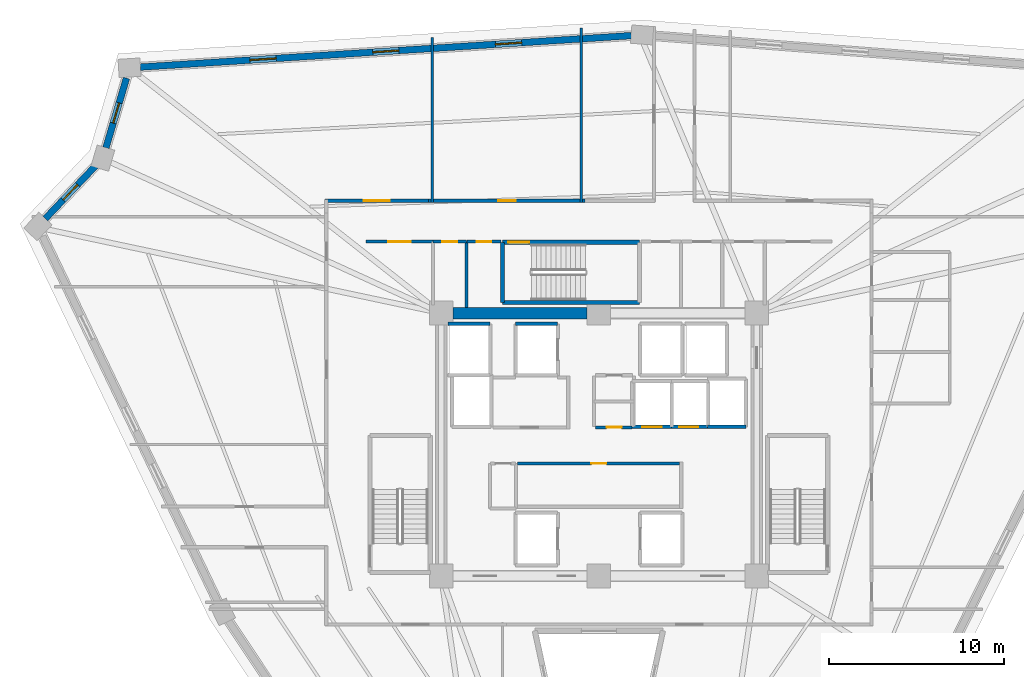
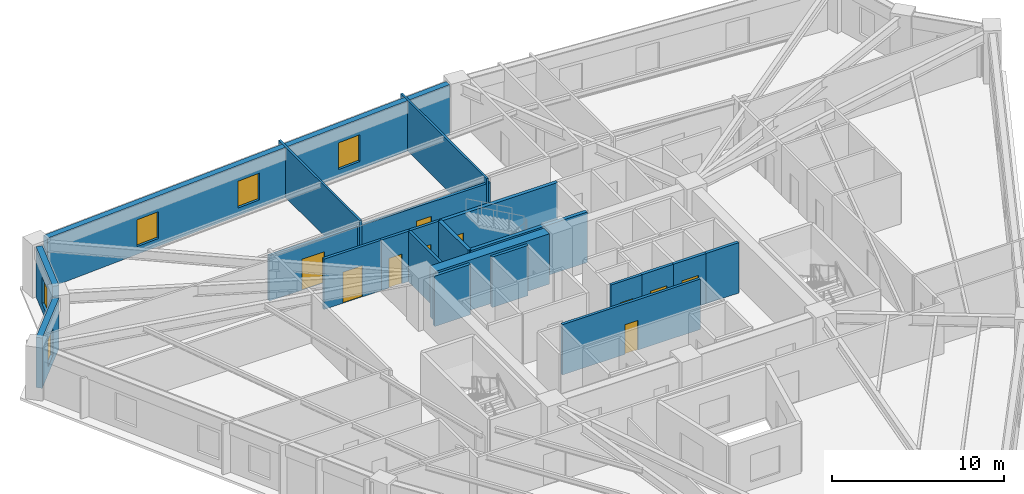
# One storey, part 5 of 8: 22 walls, 10 doors, 5 windows, 15 openings.
"""IFC4 building model written with IfcOpenShell, lengths in metres."""

from ifc_helpers import new_model, si_unit, direction, frame, frame_2d, origin, place, context, subcontext, project, spatial, rectangle, extrude, source, transform, mapped, material, layer, layer_set, type_object, element, fill, save


model = new_model("IFC4")

# Units and contexts
model_context = context("Model", 3, precision=1e-05, world=origin(), true_north=direction((0.0, 1.0)))
body_context = subcontext(model_context, "Body", "Model", "MODEL_VIEW")
ifc_project = project(units=[si_unit("LENGTHUNIT", "METRE"), si_unit("AREAUNIT", "SQUARE_METRE"), si_unit("VOLUMEUNIT", "CUBIC_METRE"), si_unit("PLANEANGLEUNIT", "RADIAN"), si_unit("MASSUNIT", "GRAM", prefix="KILO")], contexts=[model_context])

# Site, building, storey
site_placement = place(None, origin())
site = spatial("IfcSite", under=ifc_project, at=site_placement, CompositionType="ELEMENT")
building_placement = place(site_placement, origin())
building = spatial("IfcBuilding", under=site, at=building_placement, Name="Liaohun Quay Tower", CompositionType="ELEMENT")
storey_placement = place(building_placement, frame((0.0, 0.0, 255.0)))
storey = spatial("IfcBuildingStorey", under=building, at=storey_placement, Name="L66", CompositionType="ELEMENT", Elevation=255.0)

# Wall
ifc_material_1 = material(Name="Concrete C55", Category="concrete")
ifc_layer_1 = layer(ifc_material_1, 0.64990234375, Name="Concrete C55", Category="concrete")
ifc_layer_set_1 = layer_set([ifc_layer_1], Name="Concrete C55")
wall_type_1 = type_object("IfcWallType", Name="WAL-COR-Z3", PredefinedType="SHEAR", material=ifc_layer_set_1)
wall_1_placement = place(storey_placement, frame((51.675048828125, 61.5, 0.0), z_axis=(0.0, 0.0, 1.0), x_axis=(1.0, 0.0, 0.0)))
element("IfcWall", 1, at=wall_1_placement, inside=storey, type_object=wall_type_1, Name="L66 Central Core Shear Wall N-W", PredefinedType="SHEAR", context=body_context, shape_type="SweptSolid", body=[
    extrude(rectangle(XDim=7.64990234375, YDim=0.64990234375, at=frame_2d((3.824951171875, 0.0))), origin(), (0.0, 0.0, 1.0), 3.570068359375),
])

# Wall, openings, windows
ifc_material_2 = material(Name="Precast concrete C50 insulated sandwich", Category="concrete")
ifc_layer_2 = layer(ifc_material_2, 0.3798828125, Name="Precast concrete C50 insulated sandwich", Category="concrete")
ifc_layer_set_2 = layer_set([ifc_layer_2], Name="Precast concrete C50 insulated sandwich")
wall_type_2 = type_object("IfcWallType", Name="WAL-EXT-Z34", PredefinedType="SOLIDWALL", material=ifc_layer_set_2)
wall_2_placement = place(storey_placement, frame((61.85009765625, 77.3310546875, 0.0), z_axis=(0.0, 0.0, 1.0), x_axis=(-0.997946898195, -0.064046767155, 0.0)))
wall_2 = element("IfcWall", 2, at=wall_2_placement, inside=storey, type_object=wall_type_2, Name="L66 Brutalist Precast Pier Wall 07", PredefinedType="SOLIDWALL", context=body_context, shape_type="SweptSolid", body=[
    extrude(rectangle(XDim=28.07470703125, YDim=0.3798828125, at=frame_2d((14.037353515625, 0.0))), origin(), (0.0, 0.0, 1.0), 3.570068359375),
])
shared_shape_1 = source(origin(), body_context, "Body", "SweptSolid", [
    extrude(rectangle(XDim=1.5, YDim=1.89990234375, at=frame_2d((0.75, 0.949951171875))), frame((0.0, 0.199951171875, 0.0), z_axis=(0.0, -1.0, 0.0), x_axis=(1.0, 0.0, 0.0)), (0.0, 0.0, 1.0), 0.39990234375),
])
opening_1_placement = place(wall_2_placement, frame((6.26904296875, 0.0, 0.550048828125)))
opening_1 = element("IfcOpeningElement", 3, at=opening_1_placement, cuts=wall_2, Name="Opening W03", PredefinedType="OPENING", context=body_context, shape_type="MappedRepresentation", body=[
    mapped(shared_shape_1, transform((0.0, 0.0, 0.0), x_axis=(1.0, 0.0, 0.0), y_axis=(0.0, 1.0, 0.0), z_axis=(0.0, 0.0, 1.0), scale=1.0)),
])
opening_2_placement = place(wall_2_placement, frame((13.287109375, 0.0, 0.550048828125)))
opening_2 = element("IfcOpeningElement", 4, at=opening_2_placement, cuts=wall_2, Name="Opening W03", PredefinedType="OPENING", context=body_context, shape_type="MappedRepresentation", body=[
    mapped(shared_shape_1, transform((0.0, 0.0, 0.0), x_axis=(1.0, 0.0, 0.0), y_axis=(0.0, 1.0, 0.0), z_axis=(0.0, 0.0, 1.0), scale=1.0)),
])
opening_3_placement = place(wall_2_placement, frame((20.305908203125, 0.0, 0.550048828125)))
opening_3 = element("IfcOpeningElement", 5, at=opening_3_placement, cuts=wall_2, Name="Opening W03", PredefinedType="OPENING", context=body_context, shape_type="MappedRepresentation", body=[
    mapped(shared_shape_1, transform((0.0, 0.0, 0.0), x_axis=(1.0, 0.0, 0.0), y_axis=(0.0, 1.0, 0.0), z_axis=(0.0, 0.0, 1.0), scale=1.0)),
])
ifc_material_3 = material(Name="Triple Low-E argon glazing in thermally broken aluminium", Category="aluminium")
window_type_1 = type_object("IfcWindowType", Name="WIN-PUN-Z3", PartitioningType="DOUBLE_PANEL_VERTICAL", PredefinedType="WINDOW", material=ifc_material_3)
shared_shape_2 = source(origin(), body_context, "Body", "SweptSolid", [
    extrude(rectangle(XDim=1.5, YDim=1.89990234375, at=frame_2d((0.75, 0.949951171875))), frame((0.0, 0.030029296875, 0.0), z_axis=(0.0, -1.0, 0.0), x_axis=(1.0, 0.0, 0.0)), (0.0, 0.0, 1.0), 0.06005859375),
])
window_1_placement = place(opening_1_placement, origin())
window_1 = element("IfcWindow", 6, at=window_1_placement, inside=storey, type_object=window_type_1, Name="L66 Recessed Cold-Climate Punched Window 07-1", OverallHeight=1.89990234375, OverallWidth=1.5, PartitioningType="DOUBLE_PANEL_VERTICAL", PredefinedType="WINDOW", context=body_context, shape_type="MappedRepresentation", body=[
    mapped(shared_shape_2, transform((0.0, 0.0, 0.0), x_axis=(1.0, 0.0, 0.0), y_axis=(0.0, 1.0, 0.0), z_axis=(0.0, 0.0, 1.0), scale=1.0)),
])
fill(opening_1, window_1)
window_2_placement = place(opening_2_placement, origin())
window_2 = element("IfcWindow", 7, at=window_2_placement, inside=storey, type_object=window_type_1, Name="L66 Recessed Cold-Climate Punched Window 07-2", OverallHeight=1.89990234375, OverallWidth=1.5, PartitioningType="DOUBLE_PANEL_VERTICAL", PredefinedType="WINDOW", context=body_context, shape_type="MappedRepresentation", body=[
    mapped(shared_shape_2, transform((0.0, 0.0, 0.0), x_axis=(1.0, 0.0, 0.0), y_axis=(0.0, 1.0, 0.0), z_axis=(0.0, 0.0, 1.0), scale=1.0)),
])
fill(opening_2, window_2)
window_3_placement = place(opening_3_placement, origin())
window_3 = element("IfcWindow", 8, at=window_3_placement, inside=storey, type_object=window_type_1, Name="L66 Recessed Cold-Climate Punched Window 07-3", OverallHeight=1.89990234375, OverallWidth=1.5, PartitioningType="DOUBLE_PANEL_VERTICAL", PredefinedType="WINDOW", context=body_context, shape_type="MappedRepresentation", body=[
    mapped(shared_shape_2, transform((0.0, 0.0, 0.0), x_axis=(1.0, 0.0, 0.0), y_axis=(0.0, 1.0, 0.0), z_axis=(0.0, 0.0, 1.0), scale=1.0)),
])
fill(opening_3, window_3)

# Wall, opening, window
wall_3_placement = place(storey_placement, frame((33.044921875, 74.904052734375, 0.0), z_axis=(0.0, 0.0, 1.0), x_axis=(-0.282772261865, -0.959187076602, 0.0)))
wall_3 = element("IfcWall", 9, at=wall_3_placement, inside=storey, type_object=wall_type_2, Name="L66 Brutalist Precast Pier Wall 08", PredefinedType="SOLIDWALL", context=body_context, shape_type="SweptSolid", body=[
    extrude(rectangle(XDim=4.144287109375, YDim=0.3798828125, at=frame_2d((2.072265625, 0.0))), origin(), (0.0, 0.0, 1.0), 3.570068359375),
])
shared_shape_3 = source(origin(), body_context, "Body", "SweptSolid", [
    extrude(rectangle(XDim=1.199951171875, YDim=1.89990234375, at=frame_2d((0.60009765625, 0.949951171875))), frame((0.0, 0.199951171875, 0.0), z_axis=(0.0, -1.0, 0.0), x_axis=(1.0, 0.0, 0.0)), (0.0, 0.0, 1.0), 0.39990234375),
])
opening_4_placement = place(wall_3_placement, frame((1.471923828125, 0.0, 0.550048828125)))
opening_4 = element("IfcOpeningElement", 10, at=opening_4_placement, cuts=wall_3, Name="Opening W05", PredefinedType="OPENING", context=body_context, shape_type="MappedRepresentation", body=[
    mapped(shared_shape_3, transform((0.0, 0.0, 0.0), x_axis=(1.0, 0.0, 0.0), y_axis=(0.0, 1.0, 0.0), z_axis=(0.0, 0.0, 1.0), scale=1.0)),
])
ifc_material_4 = material(Name="Triple Low-E corner notch glazing", Category="glass")
window_type_2 = type_object("IfcWindowType", Name="WIN-NOTCH", PartitioningType="SINGLE_PANEL", PredefinedType="WINDOW", material=ifc_material_4)
shared_shape_4 = source(origin(), body_context, "Body", "SweptSolid", [
    extrude(rectangle(XDim=1.199951171875, YDim=1.89990234375, at=frame_2d((0.60009765625, 0.949951171875))), frame((0.0, 0.030029296875, 0.0), z_axis=(0.0, -1.0, 0.0), x_axis=(1.0, 0.0, 0.0)), (0.0, 0.0, 1.0), 0.06005859375),
])
window_4_placement = place(opening_4_placement, origin())
window_4 = element("IfcWindow", 11, at=window_4_placement, inside=storey, type_object=window_type_2, Name="L66 Corner Notch Window W05-08", OverallHeight=1.89990234375, OverallWidth=1.199951171875, PartitioningType="SINGLE_PANEL", PredefinedType="WINDOW", context=body_context, shape_type="MappedRepresentation", body=[
    mapped(shared_shape_4, transform((0.0, 0.0, 0.0), x_axis=(1.0, 0.0, 0.0), y_axis=(0.0, 1.0, 0.0), z_axis=(0.0, 0.0, 1.0), scale=1.0)),
])
fill(opening_4, window_4)

wall_4_placement = place(storey_placement, frame((31.27490234375, 69.89306640625, 0.0), z_axis=(0.0, 0.0, 1.0), x_axis=(-0.689387760278, -0.724392515131, 0.0)))
wall_4 = element("IfcWall", 12, at=wall_4_placement, inside=storey, type_object=wall_type_2, Name="L66 Brutalist Precast Pier Wall 09", PredefinedType="SOLIDWALL", context=body_context, shape_type="SweptSolid", body=[
    extrude(rectangle(XDim=4.14990234375, YDim=0.3798828125, at=frame_2d((2.074951171875, 0.0))), origin(), (0.0, 0.0, 1.0), 3.570068359375),
])
opening_5_placement = place(wall_4_placement, frame((1.47509765625, 0.0, 0.550048828125)))
opening_5 = element("IfcOpeningElement", 13, at=opening_5_placement, cuts=wall_4, Name="Opening W05", PredefinedType="OPENING", context=body_context, shape_type="MappedRepresentation", body=[
    mapped(shared_shape_3, transform((0.0, 0.0, 0.0), x_axis=(1.0, 0.0, 0.0), y_axis=(0.0, 1.0, 0.0), z_axis=(0.0, 0.0, 1.0), scale=1.0)),
])
window_5_placement = place(opening_5_placement, origin())
window_5 = element("IfcWindow", 14, at=window_5_placement, inside=storey, type_object=window_type_2, Name="L66 Corner Notch Window W05-09", OverallHeight=1.89990234375, OverallWidth=1.199951171875, PartitioningType="SINGLE_PANEL", PredefinedType="WINDOW", context=body_context, shape_type="MappedRepresentation", body=[
    mapped(shared_shape_4, transform((0.0, 0.0, 0.0), x_axis=(1.0, 0.0, 0.0), y_axis=(0.0, 1.0, 0.0), z_axis=(0.0, 0.0, 1.0), scale=1.0)),
])
fill(opening_5, window_5)

# Wall, opening, door
ifc_material_5 = material(Name="Autoclaved aerated concrete blockwork", Category="masonry")
ifc_layer_3 = layer(ifc_material_5, 0.179931640625, Name="Autoclaved aerated concrete blockwork", Category="masonry")
ifc_layer_set_3 = layer_set([ifc_layer_3], Name="Autoclaved aerated concrete blockwork")
wall_type_3 = type_object("IfcWallType", Name="WAL-PRT-COR", PredefinedType="PARTITIONING", material=ifc_layer_set_3)
wall_5_placement = place(storey_placement, frame((55.3701171875, 52.919921875, 0.0), z_axis=(0.0, 0.0, 1.0), x_axis=(1.0, 0.0, 0.0)))
wall_5 = element("IfcWall", 15, at=wall_5_placement, inside=storey, type_object=wall_type_3, Name="L66 Interior Partition Wall 001", PredefinedType="PARTITIONING", context=body_context, shape_type="SweptSolid", body=[
    extrude(rectangle(XDim=9.239990234375, YDim=0.179931640625, at=frame_2d((4.6201171875, 0.0))), origin(), (0.0, 0.0, 1.0), 3.570068359375),
])
shared_shape_5 = source(origin(), body_context, "Body", "SweptSolid", [
    extrude(rectangle(XDim=0.85009765625, YDim=2.10009765625, at=frame_2d((0.425048828125, 1.050048828125))), frame((0.0, 0.099853515625, 0.0), z_axis=(0.0, -1.0, 0.0), x_axis=(1.0, 0.0, 0.0)), (0.0, 0.0, 1.0), 0.199951171875),
])
opening_6_placement = place(wall_5_placement, frame((4.205078125, 0.0, 0.0)))
opening_6 = element("IfcOpeningElement", 16, at=opening_6_placement, cuts=wall_5, Name="Opening AD1", PredefinedType="OPENING", context=body_context, shape_type="MappedRepresentation", body=[
    mapped(shared_shape_5, transform((0.0, 0.0, 0.0), x_axis=(1.0, 0.0, 0.0), y_axis=(0.0, 1.0, 0.0), z_axis=(0.0, 0.0, 1.0), scale=1.0)),
])
ifc_material_6 = material(Name="Steel riser inspection fire door", Category="steel")
door_type_1 = type_object("IfcDoorType", Name="DOR-SHF-850", OperationType="NOTDEFINED", PredefinedType="DOOR", material=ifc_material_6)
shared_shape_6 = source(origin(), body_context, "Body", "SweptSolid", [
    extrude(rectangle(XDim=0.85009765625, YDim=2.10009765625, at=frame_2d((0.425048828125, 1.050048828125))), frame((0.0, 0.02490234375, 0.0), z_axis=(0.0, -1.0, 0.0), x_axis=(1.0, 0.0, 0.0)), (0.0, 0.0, 1.0), 0.050048828125),
])
door_1_placement = place(opening_6_placement, origin())
door_1 = element("IfcDoor", 17, at=door_1_placement, inside=storey, type_object=door_type_1, Name="L66 Core Tenant Storage and Archive Room Door", OperationType="SINGLE_SWING_LEFT", OverallHeight=2.10009765625, OverallWidth=0.85009765625, PredefinedType="DOOR", context=body_context, shape_type="MappedRepresentation", body=[
    mapped(shared_shape_6, transform((0.0, 0.0, 0.0), x_axis=(1.0, 0.0, 0.0), y_axis=(0.0, 1.0, 0.0), z_axis=(0.0, 0.0, 1.0), scale=1.0)),
])
fill(opening_6, door_1)

wall_6_placement = place(storey_placement, frame((59.81005859375, 54.97998046875, 0.0), z_axis=(0.0, 0.0, 1.0), x_axis=(1.0, 0.0, 0.0)))
wall_6 = element("IfcWall", 18, at=wall_6_placement, inside=storey, type_object=wall_type_3, Name="L66 Interior Partition Wall 003", PredefinedType="PARTITIONING", context=body_context, shape_type="SweptSolid", body=[
    extrude(rectangle(XDim=2.08984375, YDim=0.179931640625, at=frame_2d((1.044921875, 0.0))), origin(), (0.0, 0.0, 1.0), 3.570068359375),
])
opening_7_placement = place(wall_6_placement, frame((0.635009765625, 0.0, 0.0)))
opening_7 = element("IfcOpeningElement", 19, at=opening_7_placement, cuts=wall_6, Name="Opening AD1", PredefinedType="OPENING", context=body_context, shape_type="MappedRepresentation", body=[
    mapped(shared_shape_5, transform((0.0, 0.0, 0.0), x_axis=(1.0, 0.0, 0.0), y_axis=(0.0, 1.0, 0.0), z_axis=(0.0, 0.0, 1.0), scale=1.0)),
])
door_2_placement = place(opening_7_placement, origin())
door_2 = element("IfcDoor", 20, at=door_2_placement, inside=storey, type_object=door_type_1, Name="L66 Electrical Riser Room Door", OperationType="SINGLE_SWING_LEFT", OverallHeight=2.10009765625, OverallWidth=0.85009765625, PredefinedType="DOOR", context=body_context, shape_type="MappedRepresentation", body=[
    mapped(shared_shape_6, transform((0.0, 0.0, 0.0), x_axis=(1.0, 0.0, 0.0), y_axis=(0.0, 1.0, 0.0), z_axis=(0.0, 0.0, 1.0), scale=1.0)),
])
fill(opening_7, door_2)

wall_7_placement = place(storey_placement, frame((50.5400390625, 65.580078125, 0.0), z_axis=(0.0, 0.0, 1.0), x_axis=(1.0, 0.0, 0.0)))
wall_7 = element("IfcWall", 21, at=wall_7_placement, inside=storey, type_object=wall_type_3, Name="L66 Interior Partition Wall 009", PredefinedType="PARTITIONING", context=body_context, shape_type="SweptSolid", body=[
    extrude(rectangle(XDim=1.89990234375, YDim=0.179931640625, at=frame_2d((0.949951171875, 0.0))), origin(), (0.0, 0.0, 1.0), 3.570068359375),
])
opening_8_placement = place(wall_7_placement, frame((0.52490234375, 0.0, 0.0)))
opening_8 = element("IfcOpeningElement", 22, at=opening_8_placement, cuts=wall_7, Name="Opening AD1", PredefinedType="OPENING", context=body_context, shape_type="MappedRepresentation", body=[
    mapped(shared_shape_5, transform((0.0, 0.0, 0.0), x_axis=(1.0, 0.0, 0.0), y_axis=(0.0, 1.0, 0.0), z_axis=(0.0, 0.0, 1.0), scale=1.0)),
])
door_3_placement = place(opening_8_placement, origin())
door_3 = element("IfcDoor", 23, at=door_3_placement, inside=storey, type_object=door_type_1, Name="L66 North-West Riser Closet Door", OperationType="SINGLE_SWING_LEFT", OverallHeight=2.10009765625, OverallWidth=0.85009765625, PredefinedType="DOOR", context=body_context, shape_type="MappedRepresentation", body=[
    mapped(shared_shape_6, transform((0.0, 0.0, 0.0), x_axis=(1.0, 0.0, 0.0), y_axis=(0.0, 1.0, 0.0), z_axis=(0.0, 0.0, 1.0), scale=1.0)),
])
fill(opening_8, door_3)

wall_8_placement = place(storey_placement, frame((52.47998046875, 65.580078125, 0.0), z_axis=(0.0, 0.0, 1.0), x_axis=(1.0, 0.0, 0.0)))
wall_8 = element("IfcWall", 24, at=wall_8_placement, inside=storey, type_object=wall_type_3, Name="L66 Interior Partition Wall 010", PredefinedType="PARTITIONING", context=body_context, shape_type="SweptSolid", body=[
    extrude(rectangle(XDim=1.929931640625, YDim=0.179931640625, at=frame_2d((0.96484375, 0.0))), origin(), (0.0, 0.0, 1.0), 3.570068359375),
])
opening_9_placement = place(wall_8_placement, frame((0.5400390625, 0.0, 0.0)))
opening_9 = element("IfcOpeningElement", 25, at=opening_9_placement, cuts=wall_8, Name="Opening AD1", PredefinedType="OPENING", context=body_context, shape_type="MappedRepresentation", body=[
    mapped(shared_shape_5, transform((0.0, 0.0, 0.0), x_axis=(1.0, 0.0, 0.0), y_axis=(0.0, 1.0, 0.0), z_axis=(0.0, 0.0, 1.0), scale=1.0)),
])
door_4_placement = place(opening_9_placement, origin())
door_4 = element("IfcDoor", 26, at=door_4_placement, inside=storey, type_object=door_type_1, Name="L66 North-West Print Closet Door", OperationType="SINGLE_SWING_RIGHT", OverallHeight=2.10009765625, OverallWidth=0.85009765625, PredefinedType="DOOR", context=body_context, shape_type="MappedRepresentation", body=[
    mapped(shared_shape_6, transform((0.0, 0.0, 0.0), x_axis=(1.0, 0.0, 0.0), y_axis=(0.0, 1.0, 0.0), z_axis=(0.0, 0.0, 1.0), scale=1.0)),
])
fill(opening_9, door_4)

wall_9_placement = place(storey_placement, frame((46.699951171875, 65.580078125, 0.0), z_axis=(0.0, 0.0, 1.0), x_axis=(1.0, 0.0, 0.0)))
wall_9 = element("IfcWall", 27, at=wall_9_placement, inside=storey, type_object=wall_type_3, Name="L66 Interior Partition Wall 014", PredefinedType="PARTITIONING", context=body_context, shape_type="SweptSolid", body=[
    extrude(rectangle(XDim=3.840087890625, YDim=0.179931640625, at=frame_2d((1.919921875, 0.0))), origin(), (0.0, 0.0, 1.0), 3.570068359375),
])
shared_shape_7 = source(origin(), body_context, "Body", "SweptSolid", [
    extrude(rectangle(XDim=1.300048828125, YDim=2.199951171875, at=frame_2d((0.64990234375, 1.10009765625))), frame((0.0, 0.099853515625, 0.0), z_axis=(0.0, -1.0, 0.0), x_axis=(1.0, 0.0, 0.0)), (0.0, 0.0, 1.0), 0.199951171875),
])
opening_10_placement = place(wall_9_placement, frame((1.27001953125, 0.0, 0.0)))
opening_10 = element("IfcOpeningElement", 28, at=opening_10_placement, cuts=wall_9, Name="Opening FD1", PredefinedType="OPENING", context=body_context, shape_type="MappedRepresentation", body=[
    mapped(shared_shape_7, transform((0.0, 0.0, 0.0), x_axis=(1.0, 0.0, 0.0), y_axis=(0.0, 1.0, 0.0), z_axis=(0.0, 0.0, 1.0), scale=1.0)),
])
ifc_material_7 = material(Name="Galvanised steel smokeproof fire door", Category="steel")
door_type_2 = type_object("IfcDoorType", Name="DOR-FFL-1300", OperationType="NOTDEFINED", PredefinedType="DOOR", material=ifc_material_7)
shared_shape_8 = source(origin(), body_context, "Body", "SweptSolid", [
    extrude(rectangle(XDim=1.300048828125, YDim=2.199951171875, at=frame_2d((0.64990234375, 1.10009765625))), frame((0.0, 0.02490234375, 0.0), z_axis=(0.0, -1.0, 0.0), x_axis=(1.0, 0.0, 0.0)), (0.0, 0.0, 1.0), 0.050048828125),
])
door_5_placement = place(opening_10_placement, origin())
door_5 = element("IfcDoor", 29, at=door_5_placement, inside=storey, type_object=door_type_2, Name="L66 West Core Vestibule Door", OperationType="SINGLE_SWING_RIGHT", OverallHeight=2.199951171875, OverallWidth=1.300048828125, PredefinedType="DOOR", context=body_context, shape_type="MappedRepresentation", body=[
    mapped(shared_shape_8, transform((0.0, 0.0, 0.0), x_axis=(1.0, 0.0, 0.0), y_axis=(0.0, 1.0, 0.0), z_axis=(0.0, 0.0, 1.0), scale=1.0)),
])
fill(opening_10, door_5)

wall_10_placement = place(storey_placement, frame((50.284912109375, 67.909912109375, 0.0), z_axis=(0.0, 0.0, 1.0), x_axis=(1.0, 0.0, 0.0)))
wall_10 = element("IfcWall", 30, at=wall_10_placement, inside=storey, type_object=wall_type_3, Name="L66 Interior Partition Wall 020", PredefinedType="PARTITIONING", context=body_context, shape_type="SweptSolid", body=[
    extrude(rectangle(XDim=8.93017578125, YDim=0.179931640625, at=frame_2d((4.465087890625, 0.0))), origin(), (0.0, 0.0, 1.0), 3.205078125),
])
shared_shape_9 = source(origin(), body_context, "Body", "SweptSolid", [
    extrude(rectangle(XDim=1.0, YDim=2.199951171875, at=frame_2d((0.5, 1.10009765625))), frame((0.0, 0.099853515625, 0.0), z_axis=(0.0, -1.0, 0.0), x_axis=(1.0, 0.0, 0.0)), (0.0, 0.0, 1.0), 0.199951171875),
])
opening_11_placement = place(wall_10_placement, frame((3.965087890625, 0.0, 0.0)))
opening_11 = element("IfcOpeningElement", 31, at=opening_11_placement, cuts=wall_10, Name="Opening OD1", PredefinedType="OPENING", context=body_context, shape_type="MappedRepresentation", body=[
    mapped(shared_shape_9, transform((0.0, 0.0, 0.0), x_axis=(1.0, 0.0, 0.0), y_axis=(0.0, 1.0, 0.0), z_axis=(0.0, 0.0, 1.0), scale=1.0)),
])
ifc_material_8 = material(Name="Solid-core oak veneer timber leaf in steel frame", Category="steel")
door_type_3 = type_object("IfcDoorType", Name="DOR-OFF-1000", OperationType="NOTDEFINED", PredefinedType="DOOR", material=ifc_material_8)
shared_shape_10 = source(origin(), body_context, "Body", "SweptSolid", [
    extrude(rectangle(XDim=1.0, YDim=2.199951171875, at=frame_2d((0.5, 1.10009765625))), frame((0.0, 0.02490234375, 0.0), z_axis=(0.0, -1.0, 0.0), x_axis=(1.0, 0.0, 0.0)), (0.0, 0.0, 1.0), 0.050048828125),
])
door_6_placement = place(opening_11_placement, origin())
door_6 = element("IfcDoor", 32, at=door_6_placement, inside=storey, type_object=door_type_3, Name="L66 Occupational Wellness Clinic 05 Door", OperationType="SINGLE_SWING_RIGHT", OverallHeight=2.199951171875, OverallWidth=1.0, PredefinedType="DOOR", context=body_context, shape_type="MappedRepresentation", body=[
    mapped(shared_shape_10, transform((0.0, 0.0, 0.0), x_axis=(1.0, 0.0, 0.0), y_axis=(0.0, 1.0, 0.0), z_axis=(0.0, 0.0, 1.0), scale=1.0)),
])
fill(opening_11, door_6)

wall_11_placement = place(storey_placement, frame((44.3701171875, 67.909912109375, 0.0), z_axis=(0.0, 0.0, 1.0), x_axis=(1.0, 0.0, 0.0)))
wall_11 = element("IfcWall", 33, at=wall_11_placement, inside=storey, type_object=wall_type_3, Name="L66 Interior Partition Wall 021", PredefinedType="PARTITIONING", context=body_context, shape_type="SweptSolid", body=[
    extrude(rectangle(XDim=5.914794921875, YDim=0.179931640625, at=frame_2d((2.95751953125, 0.0))), origin(), (0.0, 0.0, 1.0), 3.205078125),
])
shared_shape_11 = source(origin(), body_context, "Body", "SweptSolid", [
    extrude(rectangle(XDim=1.5, YDim=2.199951171875, at=frame_2d((0.75, 1.10009765625))), frame((0.0, 0.099853515625, 0.0), z_axis=(0.0, -1.0, 0.0), x_axis=(1.0, 0.0, 0.0)), (0.0, 0.0, 1.0), 0.199951171875),
])
opening_12_placement = place(wall_11_placement, frame((2.20703125, 0.0, 0.0)))
opening_12 = element("IfcOpeningElement", 34, at=opening_12_placement, cuts=wall_11, Name="Opening OD2", PredefinedType="OPENING", context=body_context, shape_type="MappedRepresentation", body=[
    mapped(shared_shape_11, transform((0.0, 0.0, 0.0), x_axis=(1.0, 0.0, 0.0), y_axis=(0.0, 1.0, 0.0), z_axis=(0.0, 0.0, 1.0), scale=1.0)),
])
ifc_material_9 = material(Name="Acoustic oak veneer double door")
door_type_4 = type_object("IfcDoorType", Name="DOR-OFF-1500", OperationType="DOUBLE_DOOR_SINGLE_SWING", PredefinedType="DOOR", material=ifc_material_9)
shared_shape_12 = source(origin(), body_context, "Body", "SweptSolid", [
    extrude(rectangle(XDim=1.5, YDim=2.199951171875, at=frame_2d((0.75, 1.10009765625))), frame((0.0, 0.02490234375, 0.0), z_axis=(0.0, -1.0, 0.0), x_axis=(1.0, 0.0, 0.0)), (0.0, 0.0, 1.0), 0.050048828125),
])
door_7_placement = place(opening_12_placement, origin())
door_7 = element("IfcDoor", 35, at=door_7_placement, inside=storey, type_object=door_type_4, Name="L66 Staff Tea Kitchen and Pantry 06 Door", OperationType="DOUBLE_DOOR_SINGLE_SWING", OverallHeight=2.199951171875, OverallWidth=1.5, PredefinedType="DOOR", context=body_context, shape_type="MappedRepresentation", body=[
    mapped(shared_shape_12, transform((0.0, 0.0, 0.0), x_axis=(1.0, 0.0, 0.0), y_axis=(0.0, 1.0, 0.0), z_axis=(0.0, 0.0, 1.0), scale=1.0)),
])
fill(opening_12, door_7)

# Walls
wall_12_placement = place(storey_placement, frame((52.43994140625, 61.824951171875, 0.0), z_axis=(0.0, 0.0, 1.0), x_axis=(0.0, 1.0, 0.0)))
element("IfcWall", 36, at=wall_12_placement, inside=storey, type_object=wall_type_3, Name="L66 Interior Partition Wall 041", PredefinedType="PARTITIONING", context=body_context, shape_type="SweptSolid", body=[
    extrude(rectangle(XDim=3.755126953125, YDim=0.179931640625, at=frame_2d((1.87744140625, 0.0))), origin(), (0.0, 0.0, 1.0), 3.570068359375),
])
ifc_material_10 = material(Name="Gypsum board on twin steel studs", Category="steel")
ifc_layer_4 = layer(ifc_material_10, 0.139892578125, Name="Gypsum board on twin steel studs", Category="steel")
ifc_layer_set_4 = layer_set([ifc_layer_4], Name="Gypsum board on twin steel studs")
wall_type_4 = type_object("IfcWallType", Name="WAL-PRT-OFF", PredefinedType="PARTITIONING", material=ifc_layer_set_4)
wall_13_placement = place(storey_placement, frame((50.5, 67.81005859375, 0.0), z_axis=(0.0, 0.0, 1.0), x_axis=(0.0, 1.0, 0.0)))
element("IfcWall", 37, at=wall_13_placement, inside=storey, type_object=wall_type_4, Name="L66 Interior Partition Wall 062", PredefinedType="PARTITIONING", context=body_context, shape_type="SweptSolid", body=[
    extrude(rectangle(XDim=9.423828125, YDim=0.139892578125, at=frame_2d((4.7119140625, 0.0))), origin(), (0.0, 0.0, 1.0), 3.570068359375),
])
wall_14_placement = place(storey_placement, frame((59.0, 67.81005859375, 0.0), z_axis=(0.0, 0.0, 1.0), x_axis=(0.0, 1.0, 0.0)))
element("IfcWall", 38, at=wall_14_placement, inside=storey, type_object=wall_type_4, Name="L66 Interior Partition Wall 063", PredefinedType="PARTITIONING", context=body_context, shape_type="SweptSolid", body=[
    extrude(rectangle(XDim=9.968994140625, YDim=0.139892578125, at=frame_2d((4.984375, 0.0))), origin(), (0.0, 0.0, 1.0), 3.570068359375),
])
ifc_material_11 = material(Name="Concrete C50", Category="concrete")
ifc_layer_5 = layer(ifc_material_11, 0.239990234375, Name="Concrete C50", Category="concrete")
ifc_layer_set_5 = layer_set([ifc_layer_5], Name="Concrete C50")
wall_type_5 = type_object("IfcWallType", Name="WAL-SHF-200", PredefinedType="SOLIDWALL", material=ifc_layer_set_5)
wall_15_placement = place(storey_placement, frame((54.5, 62.10009765625, 0.0), z_axis=(0.0, 0.0, 1.0), x_axis=(1.0, 0.0, 0.0)))
element("IfcWall", 39, at=wall_15_placement, inside=storey, type_object=wall_type_5, Name="L66 Stairwell ST-3 Structural Core Wall S", PredefinedType="SOLIDWALL", context=body_context, shape_type="SweptSolid", body=[
    extrude(rectangle(XDim=7.820068359375, YDim=0.239990234375, at=frame_2d((3.91015625, 0.0))), origin(), (0.0, 0.0, 1.0), 3.570068359375),
])

# Wall, opening, door
wall_16_placement = place(storey_placement, frame((62.320068359375, 65.5400390625, 0.0), z_axis=(0.0, 0.0, 1.0), x_axis=(-1.0, 0.0, 0.0)))
wall_16 = element("IfcWall", 40, at=wall_16_placement, inside=storey, type_object=wall_type_5, Name="L66 Stairwell ST-3 Structural Core Wall N", PredefinedType="SOLIDWALL", context=body_context, shape_type="SweptSolid", body=[
    extrude(rectangle(XDim=7.820068359375, YDim=0.239990234375, at=frame_2d((3.91015625, 0.0))), origin(), (0.0, 0.0, 1.0), 3.570068359375),
])
shared_shape_13 = source(origin(), body_context, "Body", "SweptSolid", [
    extrude(rectangle(XDim=1.199951171875, YDim=2.199951171875, at=frame_2d((0.60009765625, 1.10009765625))), frame((0.0, 0.1298828125, 0.0), z_axis=(0.0, -1.0, 0.0), x_axis=(1.0, 0.0, 0.0)), (0.0, 0.0, 1.0), 0.260009765625),
])
opening_13_placement = place(wall_16_placement, frame((6.300048828125, 0.0, 0.0)))
opening_13 = element("IfcOpeningElement", 41, at=opening_13_placement, cuts=wall_16, Name="Opening SD1", PredefinedType="OPENING", context=body_context, shape_type="MappedRepresentation", body=[
    mapped(shared_shape_13, transform((0.0, 0.0, 0.0), x_axis=(1.0, 0.0, 0.0), y_axis=(0.0, 1.0, 0.0), z_axis=(0.0, 0.0, 1.0), scale=1.0)),
])
ifc_material_12 = material(Name="Galvanised steel fire door", Category="steel")
door_type_5 = type_object("IfcDoorType", Name="DOR-STR-1200", OperationType="NOTDEFINED", PredefinedType="DOOR", material=ifc_material_12)
shared_shape_14 = source(origin(), body_context, "Body", "SweptSolid", [
    extrude(rectangle(XDim=1.199951171875, YDim=2.199951171875, at=frame_2d((0.60009765625, 1.10009765625))), frame((0.0, 0.02490234375, 0.0), z_axis=(0.0, -1.0, 0.0), x_axis=(1.0, 0.0, 0.0)), (0.0, 0.0, 1.0), 0.050048828125),
])
door_8_placement = place(opening_13_placement, origin())
door_8 = element("IfcDoor", 42, at=door_8_placement, inside=storey, type_object=door_type_5, Name="L66 Protected Stair ST-3 Fire Door", OperationType="SINGLE_SWING_RIGHT", OverallHeight=2.199951171875, OverallWidth=1.199951171875, PredefinedType="DOOR", context=body_context, shape_type="MappedRepresentation", body=[
    mapped(shared_shape_14, transform((0.0, 0.0, 0.0), x_axis=(1.0, 0.0, 0.0), y_axis=(0.0, 1.0, 0.0), z_axis=(0.0, 0.0, 1.0), scale=1.0)),
])
fill(opening_13, door_8)

# Walls
wall_17_placement = place(storey_placement, frame((54.5, 65.5400390625, 0.0), z_axis=(0.0, 0.0, 1.0), x_axis=(0.0, -1.0, 0.0)))
element("IfcWall", 43, at=wall_17_placement, inside=storey, type_object=wall_type_5, Name="L66 Stairwell ST-3 Structural Core Wall W", PredefinedType="SOLIDWALL", context=body_context, shape_type="SweptSolid", body=[
    extrude(rectangle(XDim=3.43994140625, YDim=0.239990234375, at=frame_2d((1.719970703125, 0.0))), origin(), (0.0, 0.0, 1.0), 3.570068359375),
])
wall_18_placement = place(storey_placement, frame((57.64990234375, 60.8798828125, 0.0), z_axis=(0.0, 0.0, 1.0), x_axis=(-1.0, 0.0, 0.0)))
element("IfcWall", 44, at=wall_18_placement, inside=storey, type_object=wall_type_5, Name="L66 Lift FF-03 Hoistway Wall N", PredefinedType="SOLIDWALL", context=body_context, shape_type="SweptSolid", body=[
    extrude(rectangle(XDim=2.39990234375, YDim=0.199951171875, at=frame_2d((1.199951171875, 0.0))), origin(), (0.0, 0.0, 1.0), 3.570068359375),
])
wall_19_placement = place(storey_placement, frame((53.800048828125, 60.8798828125, 0.0), z_axis=(0.0, 0.0, 1.0), x_axis=(-1.0, 0.0, 0.0)))
element("IfcWall", 45, at=wall_19_placement, inside=storey, type_object=wall_type_5, Name="L66 Lift SH-01 Hoistway Wall N", PredefinedType="SOLIDWALL", context=body_context, shape_type="SweptSolid", body=[
    extrude(rectangle(XDim=2.400146484375, YDim=0.199951171875, at=frame_2d((1.2001953125, 0.0))), origin(), (0.0, 0.0, 1.0), 3.570068359375),
])
wall_20_placement = place(storey_placement, frame((66.199951171875, 55.0, 0.0), z_axis=(0.0, 0.0, 1.0), x_axis=(1.0, 0.0, 0.0)))
element("IfcWall", 46, at=wall_20_placement, inside=storey, type_object=wall_type_5, Name="L66 Lift SH-03 Hoistway Wall S", PredefinedType="SOLIDWALL", context=body_context, shape_type="SweptSolid", body=[
    extrude(rectangle(XDim=2.179931640625, YDim=0.199951171875, at=frame_2d((1.08984375, 0.0))), origin(), (0.0, 0.0, 1.0), 3.570068359375),
])

# Wall, opening, door
wall_21_placement = place(storey_placement, frame((61.89990234375, 55.0, 0.0), z_axis=(0.0, 0.0, 1.0), x_axis=(1.0, 0.0, 0.0)))
wall_21 = element("IfcWall", 47, at=wall_21_placement, inside=storey, type_object=wall_type_5, Name="L66 Lift PL-3A Hoistway Wall S", PredefinedType="SOLIDWALL", context=body_context, shape_type="SweptSolid", body=[
    extrude(rectangle(XDim=2.25, YDim=0.199951171875, at=frame_2d((1.125, 0.0))), origin(), (0.0, 0.0, 1.0), 3.570068359375),
])
shared_shape_15 = source(origin(), body_context, "Body", "SweptSolid", [
    extrude(rectangle(XDim=1.10009765625, YDim=2.199951171875, at=frame_2d((0.550048828125, 1.10009765625))), frame((0.0, 0.10986328125, 0.0), z_axis=(0.0, -1.0, 0.0), x_axis=(1.0, 0.0, 0.0)), (0.0, 0.0, 1.0), 0.219970703125),
])
opening_14_placement = place(wall_21_placement, frame((0.574951171875, 0.0, 0.0)))
opening_14 = element("IfcOpeningElement", 48, at=opening_14_placement, cuts=wall_21, Name="Opening LD1", PredefinedType="OPENING", context=body_context, shape_type="MappedRepresentation", body=[
    mapped(shared_shape_15, transform((0.0, 0.0, 0.0), x_axis=(1.0, 0.0, 0.0), y_axis=(0.0, 1.0, 0.0), z_axis=(0.0, 0.0, 1.0), scale=1.0)),
])
ifc_material_13 = material(Name="Brushed stainless steel landing door", Category="steel")
door_type_6 = type_object("IfcDoorType", Name="DOR-LFT-1100", OperationType="SLIDING_TO_LEFT", PredefinedType="DOOR", material=ifc_material_13)
shared_shape_16 = source(origin(), body_context, "Body", "SweptSolid", [
    extrude(rectangle(XDim=1.10009765625, YDim=2.199951171875, at=frame_2d((0.550048828125, 1.10009765625))), frame((0.0, 0.02490234375, 0.0), z_axis=(0.0, -1.0, 0.0), x_axis=(1.0, 0.0, 0.0)), (0.0, 0.0, 1.0), 0.050048828125),
])
door_9_placement = place(opening_14_placement, origin())
door_9 = element("IfcDoor", 49, at=door_9_placement, inside=storey, type_object=door_type_6, Name="L66 Lift PL-3A Sliding Landing Door", OperationType="SLIDING_TO_LEFT", OverallHeight=2.199951171875, OverallWidth=1.10009765625, PredefinedType="DOOR", context=body_context, shape_type="MappedRepresentation", body=[
    mapped(shared_shape_16, transform((0.0, 0.0, 0.0), x_axis=(1.0, 0.0, 0.0), y_axis=(0.0, 1.0, 0.0), z_axis=(0.0, 0.0, 1.0), scale=1.0)),
])
fill(opening_14, door_9)

wall_22_placement = place(storey_placement, frame((64.0, 55.0, 0.0), z_axis=(0.0, 0.0, 1.0), x_axis=(1.0, 0.0, 0.0)))
wall_22 = element("IfcWall", 50, at=wall_22_placement, inside=storey, type_object=wall_type_5, Name="L66 Lift PL-3B Hoistway Wall S", PredefinedType="SOLIDWALL", context=body_context, shape_type="SweptSolid", body=[
    extrude(rectangle(XDim=2.25, YDim=0.199951171875, at=frame_2d((1.125, 0.0))), origin(), (0.0, 0.0, 1.0), 3.570068359375),
])
opening_15_placement = place(wall_22_placement, frame((0.574951171875, 0.0, 0.0)))
opening_15 = element("IfcOpeningElement", 51, at=opening_15_placement, cuts=wall_22, Name="Opening LD1", PredefinedType="OPENING", context=body_context, shape_type="MappedRepresentation", body=[
    mapped(shared_shape_15, transform((0.0, 0.0, 0.0), x_axis=(1.0, 0.0, 0.0), y_axis=(0.0, 1.0, 0.0), z_axis=(0.0, 0.0, 1.0), scale=1.0)),
])
door_10_placement = place(opening_15_placement, origin())
door_10 = element("IfcDoor", 52, at=door_10_placement, inside=storey, type_object=door_type_6, Name="L66 Lift PL-3B Sliding Landing Door", OperationType="SLIDING_TO_LEFT", OverallHeight=2.199951171875, OverallWidth=1.10009765625, PredefinedType="DOOR", context=body_context, shape_type="MappedRepresentation", body=[
    mapped(shared_shape_16, transform((0.0, 0.0, 0.0), x_axis=(1.0, 0.0, 0.0), y_axis=(0.0, 1.0, 0.0), z_axis=(0.0, 0.0, 1.0), scale=1.0)),
])
fill(opening_15, door_10)

save(model, "model.ifc")
